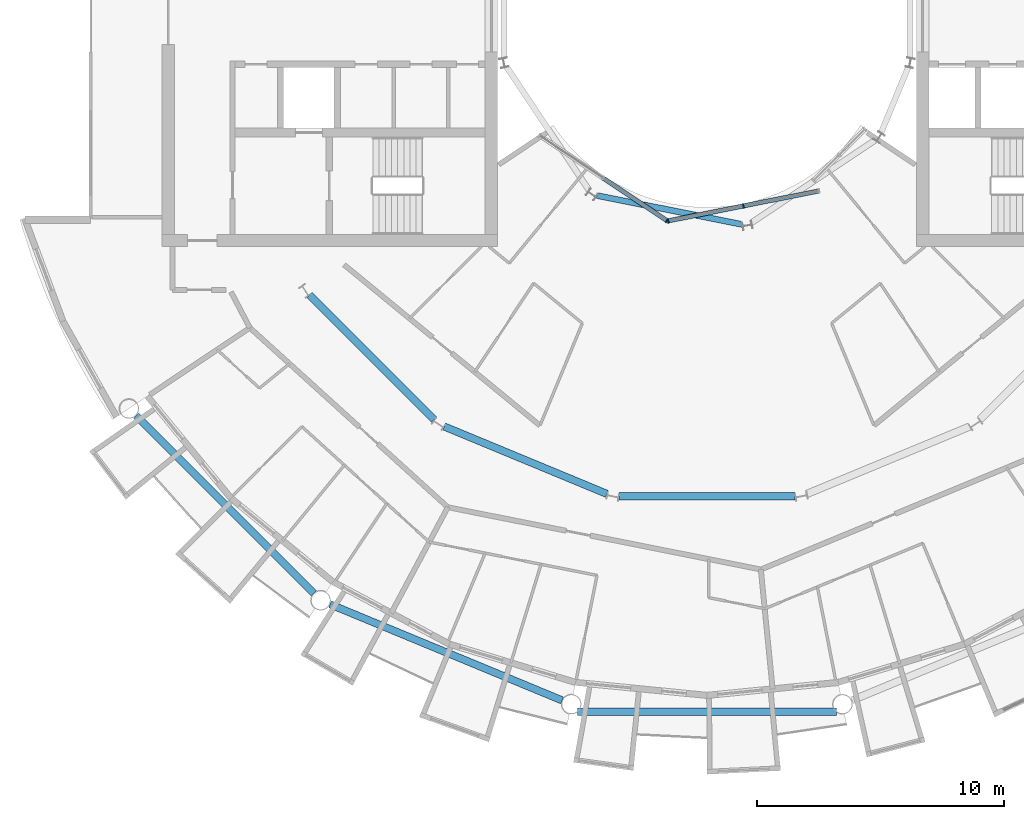
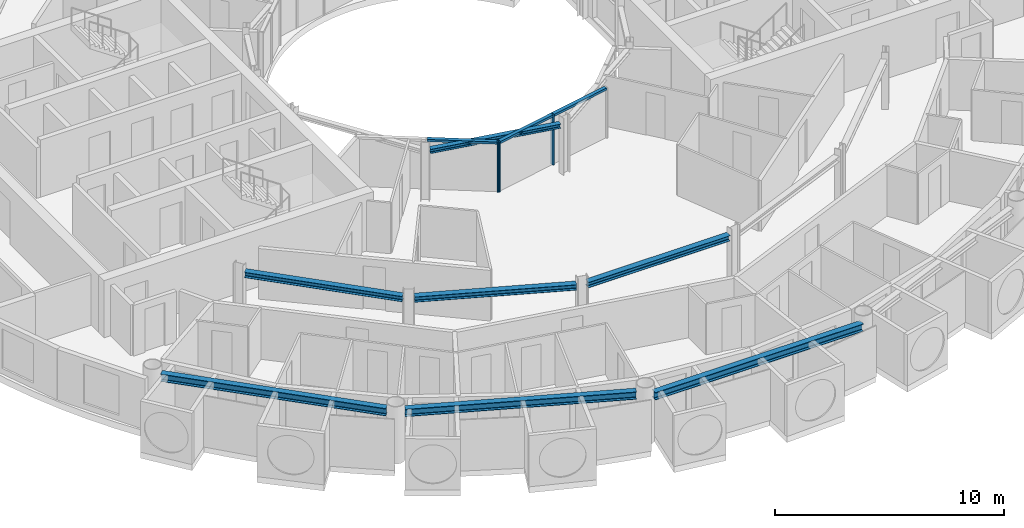
# One storey, part 5 of 27: 7 beams, 6 members, 2 elements without a shape of their own.
"""IFC4 building model written with IfcOpenShell, lengths in metres."""

import ifcopenshell
import ifcopenshell.guid

model = None  # the IFC model being written
_history = None  # IfcOwnerHistory: only IFC2X3 demands one
_inside = {}  # id of a spatial element -> (the spatial element, [elements in it])
_under = {}  # id of a project, library or spatial element -> (it, [spatial elements below it])
_declared = {}  # id of a project -> (the project, [libraries it declares])
_typed = {}  # id of a type object -> (the type object, [elements of that type])
_made_of = {}  # id of a material, layer set ... -> (it, [elements and type objects made of it])


def new_model(schema):
    """Start an empty IFC model of exactly this schema.

    Asked for "IFC4X3", IfcOpenShell would pick the latest addendum, in which some entities
    have other attributes; the version numbers below select the first issue.
    IFC2X3 requires an IfcOwnerHistory on every rooted entity: one is made here for all.
    """
    global model, _history
    if schema == "IFC4X3":
        model = ifcopenshell.file(schema_version=(4, 3, 0, 0))
    else:
        model = ifcopenshell.file(schema=schema)
    _inside.clear()
    _under.clear()
    _declared.clear()
    _typed.clear()
    _made_of.clear()
    _history = None
    if model.schema == "IFC2X3":
        org = make("IfcOrganization", Name="unknown")
        user = make(
            "IfcPersonAndOrganization",
            ThePerson=make("IfcPerson", FamilyName="unknown"),
            TheOrganization=org,
        )
        app = make(
            "IfcApplication",
            ApplicationDeveloper=org,
            Version="unknown",
            ApplicationFullName="unknown",
            ApplicationIdentifier="unknown",
        )
        _history = make(
            "IfcOwnerHistory",
            OwningUser=user,
            OwningApplication=app,
            ChangeAction="ADDED",
            CreationDate=0,
        )
    return model


def make(cls, **values):
    """One entity of the class cls with the attributes given. An attribute that is None is left unset."""
    return model.create_entity(
        cls, **{name: value for name, value in values.items() if value is not None}
    )


def rooted(cls, **values):
    """An entity with a GlobalId (a new one), such as an element, a storey or a relation."""
    return make(cls, GlobalId=ifcopenshell.guid.new(), OwnerHistory=_history, **values)


def si_unit(unit_type, name, prefix=None):
    """IfcSIUnit, for example si_unit("LENGTHUNIT", "METRE", prefix="MILLI")."""
    return make("IfcSIUnit", UnitType=unit_type, Prefix=prefix, Name=name)


def assignment(units):
    """IfcUnitAssignment: the units of a project."""
    return None if units is None else make("IfcUnitAssignment", Units=units)


def point(xyz):
    """IfcCartesianPoint."""
    return None if xyz is None else make("IfcCartesianPoint", Coordinates=xyz)


def direction(xyz):
    """IfcDirection."""
    return None if xyz is None else make("IfcDirection", DirectionRatios=xyz)


def frame(location, z_axis=None, x_axis=None):
    """IfcAxis2Placement3D, a coordinate frame: its origin and axes. An axis left out is left unset."""
    return make(
        "IfcAxis2Placement3D",
        Location=point(location),
        Axis=direction(z_axis),
        RefDirection=direction(x_axis),
    )


def frame_2d(location, x_axis=None):
    """IfcAxis2Placement2D, a coordinate frame in the plane: its origin and x axis."""
    return make(
        "IfcAxis2Placement2D", Location=point(location), RefDirection=direction(x_axis)
    )


def origin():
    """The frame at (0, 0, 0) with its axes left unset."""
    return frame((0.0, 0.0, 0.0))


def origin_2d():
    """The frame at (0, 0) in the plane with its x axis left unset."""
    return frame_2d((0.0, 0.0))


def place(relative_to, where):
    """IfcLocalPlacement: puts the frame where relative to a parent placement (None: the world)."""
    return make(
        "IfcLocalPlacement", PlacementRelTo=relative_to, RelativePlacement=where
    )


def context(
    kind, dimensions, precision=None, world=None, true_north=None, identifier=None
):
    """IfcGeometricRepresentationContext, for example the 3D "Model" context."""
    return make(
        "IfcGeometricRepresentationContext",
        ContextIdentifier=identifier,
        ContextType=kind,
        CoordinateSpaceDimension=dimensions,
        Precision=precision,
        WorldCoordinateSystem=world,
        TrueNorth=true_north,
    )


def subcontext(parent, identifier, kind, view, scale=None):
    """IfcGeometricRepresentationSubContext, for example "Body" below "Model"."""
    return make(
        "IfcGeometricRepresentationSubContext",
        ContextIdentifier=identifier,
        ContextType=kind,
        ParentContext=parent,
        TargetScale=scale,
        TargetView=view,
    )


def project(units=None, contexts=None):
    """IfcProject with its units and contexts."""
    return rooted(
        "IfcProject",
        Name="project",
        RepresentationContexts=contexts,
        UnitsInContext=assignment(units),
    )


def spatial(cls, under=None, at=None, **own):
    """A site, building, storey or space (cls), placed at a placement, below another one or the project."""
    s = rooted(cls, ObjectPlacement=at, **own)
    if under is not None:
        _under.setdefault(under.id(), (under, []))[1].append(s)
    return s


def profile(cls, at=None, kind="AREA", **sizes):
    """A parametric profile (cls). Its sizes go by their IFC names, for example OverallWidth=200.0."""
    return make(cls, ProfileType=kind, Position=at, **sizes)


def rectangle(**sizes):
    """IfcRectangleProfileDef."""
    return profile("IfcRectangleProfileDef", **sizes)


def i_section(**sizes):
    """IfcIShapeProfileDef."""
    return profile("IfcIShapeProfileDef", **sizes)


def extrude(swept, where, along, depth):
    """IfcExtrudedAreaSolid: the profile swept, set in the frame where, extruded along a direction by depth."""
    return make(
        "IfcExtrudedAreaSolid",
        SweptArea=swept,
        Position=where,
        ExtrudedDirection=direction(along),
        Depth=depth,
    )


def shape(context_of_items, identifier, shape_type, items):
    """IfcShapeRepresentation: the items that make up one representation, for example the "Body"."""
    return make(
        "IfcShapeRepresentation",
        ContextOfItems=context_of_items,
        RepresentationIdentifier=identifier,
        RepresentationType=shape_type,
        Items=items,
    )


def material(Name=None, Category=None):
    """IfcMaterial."""
    return make("IfcMaterial", Name=Name, Category=Category)


def layer(
    of_material, thickness, ventilated=None, Name=None, Category=None, Priority=None
):
    """IfcMaterialLayer: one layer of a wall or slab, of a material (None: an air gap)."""
    return make(
        "IfcMaterialLayer",
        Material=of_material,
        LayerThickness=thickness,
        IsVentilated=ventilated,
        Name=Name,
        Category=Category,
        Priority=Priority,
    )


def layer_set(layers, Name=None):
    """IfcMaterialLayerSet."""
    return make("IfcMaterialLayerSet", MaterialLayers=layers, LayerSetName=Name)


def material_profile(
    of_material, cross_section, Name=None, Category=None, Priority=None
):
    """IfcMaterialProfile: a cross section and its material."""
    return make(
        "IfcMaterialProfile",
        Name=Name,
        Material=of_material,
        Profile=cross_section,
        Priority=Priority,
        Category=Category,
    )


def profile_set(profiles, Name=None, composite=None):
    """IfcMaterialProfileSet."""
    return make(
        "IfcMaterialProfileSet",
        Name=Name,
        MaterialProfiles=profiles,
        CompositeProfile=composite,
    )


def made_of(thing, what):
    """Note that an element or type object is made of a material, layer set ...; save() writes the relation."""
    if what is not None:
        _made_of.setdefault(what.id(), (what, []))[1].append(thing)
    return thing


def type_object(cls, material=None, **own):
    """A type object (cls), such as IfcWallType, which elements share."""
    return made_of(rooted(cls, **own), material)


def element(
    cls,
    number,
    at=None,
    inside=None,
    cuts=None,
    type_object=None,
    material=None,
    context=None,
    identifier="Body",
    shape_type=None,
    held_by="IfcProductDefinitionShape",
    body=None,
    shapes=None,
    **own,
):
    """One element of the class cls, such as IfcWall. Its Tag is "e" and its number.

    at: its placement. inside: the storey or other place that contains it. cuts: it is an
    opening in that element (IfcRelVoidsElement). A single representation is given by context,
    identifier, shape_type and body (its items); several are given by shapes. held_by: the class
    of the entity that holds the representations. save() writes the other relations.
    """
    e = rooted(cls, Tag="e%d" % number, ObjectPlacement=at, **own)
    if body is not None:
        shapes = [shape(context, identifier, shape_type, body)]
    if shapes is not None:
        e.Representation = make(held_by, Representations=shapes)
    if inside is not None:
        _inside.setdefault(inside.id(), (inside, []))[1].append(e)
    if cuts is not None:
        rooted(
            "IfcRelVoidsElement", RelatingBuildingElement=cuts, RelatedOpeningElement=e
        )
    if type_object is not None:
        _typed.setdefault(type_object.id(), (type_object, []))[1].append(e)
    return made_of(e, material)


def aggregate(whole, parts):
    """IfcRelAggregates: a whole, such as a stair, and the parts it consists of."""
    return rooted("IfcRelAggregates", RelatingObject=whole, RelatedObjects=parts)


def save(model, path):
    """Write the relations noted so far, then the file.

    IfcRelAggregates (storeys below a building ...), IfcRelContainedInSpatialStructure (elements
    in a storey), IfcRelDefinesByType, IfcRelAssociatesMaterial and IfcRelDeclares: one each for
    every whole, place, type object, material and project.
    """
    for whole, parts in _under.values():
        aggregate(whole, parts)
    for where, things in _inside.values():
        rooted(
            "IfcRelContainedInSpatialStructure",
            RelatedElements=things,
            RelatingStructure=where,
        )
    for kind, things in _typed.values():
        rooted("IfcRelDefinesByType", RelatedObjects=things, RelatingType=kind)
    for what, things in _made_of.values():
        rooted("IfcRelAssociatesMaterial", RelatedObjects=things, RelatingMaterial=what)
    for by, libraries in _declared.values():
        rooted("IfcRelDeclares", RelatingContext=by, RelatedDefinitions=libraries)
    model.write(path)


model = new_model("IFC4")

# Units and contexts
model_context = context("Model", 3, precision=1e-05, world=origin(), true_north=direction((0.0, 1.0)))
body_context = subcontext(model_context, "Body", "Model", "MODEL_VIEW")
ifc_project = project(units=[si_unit("LENGTHUNIT", "METRE"), si_unit("AREAUNIT", "SQUARE_METRE"), si_unit("VOLUMEUNIT", "CUBIC_METRE"), si_unit("PLANEANGLEUNIT", "RADIAN"), si_unit("MASSUNIT", "GRAM", prefix="KILO")], contexts=[model_context])

# Site, building, storey
site_placement = place(None, origin())
site = spatial("IfcSite", under=ifc_project, at=site_placement, CompositionType="ELEMENT")
building_placement = place(site_placement, origin())
building = spatial("IfcBuilding", under=site, at=building_placement, Name="Maasbend Ring Residences", CompositionType="ELEMENT")
storey_placement = place(building_placement, frame((0.0, 0.0, 145.199951171875)))
storey = spatial("IfcBuildingStorey", under=building, at=storey_placement, Name="L41", CompositionType="ELEMENT", Elevation=145.199951171875)

# Curtain wall, member
ifc_material_1 = material(Name="Aluminium and clear glass", Category="aluminium")
ifc_layer = layer(ifc_material_1, 0.179931640625)
ifc_layer_set = layer_set([ifc_layer], Name="CW-W")
curtain_wall_type = type_object("IfcCurtainWallType", Name="CW-W", PredefinedType="NOTDEFINED", material=ifc_layer_set)
curtain_wall_1_placement = place(storey_placement, origin())
curtain_wall_1 = element("IfcCurtainWall", 1, at=curtain_wall_1_placement, inside=storey, type_object=curtain_wall_type, Name="Well curtain wall S1", PredefinedType="NOTDEFINED")
ifc_material_2 = material(Name="Aluminium 6063-T6", Category="aluminium")
ifc_material_profile_1 = material_profile(ifc_material_2, rectangle(XDim=0.179931640625, YDim=0.06005859375, at=origin_2d()), Name="AL 180x60")
ifc_profile_set_1 = profile_set([ifc_material_profile_1], Name="Aluminium 6063-T6")
member_type_1 = type_object("IfcMemberType", Name="CWM-W", PredefinedType="MULLION", material=ifc_profile_set_1)
member_1_placement = place(storey_placement, frame((-1.627685546875, -8.040771484375, 0.0), z_axis=(0.0, 0.0, 1.0), x_axis=(0.55557023302, 0.831469612303, 0.0)))
member_1 = element("IfcMember", 2, at=member_1_placement, type_object=member_type_1, Name="Mullion well face", PredefinedType="MULLION", context=body_context, shape_type="SweptSolid", body=[
    extrude(rectangle(XDim=0.179931640625, YDim=0.06005859375, at=origin_2d()), origin(), (0.0, 0.0, 1.0), 2.699951171875),
])

# Curtain wall, members
curtain_wall_2_placement = place(storey_placement, origin())
curtain_wall_2 = element("IfcCurtainWall", 3, at=curtain_wall_2_placement, inside=storey, type_object=curtain_wall_type, Name="Well curtain wall S2", PredefinedType="NOTDEFINED")
member_2_placement = place(storey_placement, frame((-1.5732421875, -8.0517578125, 0.0), z_axis=(0.0, 0.0, 1.0), x_axis=(-0.195090322016, 0.980785280403, 0.0)))
member_2 = element("IfcMember", 4, at=member_2_placement, type_object=member_type_1, Name="Mullion well face", PredefinedType="MULLION", context=body_context, shape_type="SweptSolid", body=[
    extrude(rectangle(XDim=0.179931640625, YDim=0.06005859375, at=origin_2d()), origin(), (0.0, 0.0, 1.0), 2.699951171875),
])
member_3_placement = place(storey_placement, frame((1.480712890625, -7.444091796875, 0.0), z_axis=(0.0, 0.0, 1.0), x_axis=(-0.195090322016, 0.980785280403, 0.0)))
member_3 = element("IfcMember", 5, at=member_3_placement, type_object=member_type_1, Name="Mullion well face", PredefinedType="MULLION", context=body_context, shape_type="SweptSolid", body=[
    extrude(rectangle(XDim=0.179931640625, YDim=0.06005859375, at=origin_2d()), origin(), (0.0, 0.0, 1.0), 2.699951171875),
])

# Member
ifc_material_3 = material(Name="Aluminium 6063-T6", Category="aluminium")
ifc_material_profile_2 = material_profile(ifc_material_3, rectangle(XDim=0.179931640625, YDim=0.1201171875, at=origin_2d()), Name="AL 180x120")
ifc_profile_set_2 = profile_set([ifc_material_profile_2], Name="Aluminium 6063-T6")
member_type_2 = type_object("IfcMemberType", Name="CWT-W", PredefinedType="USERDEFINED", material=ifc_profile_set_2)
member_4_placement = place(storey_placement, frame((-4.19189453125, -6.32763671875, 2.64013671875), z_axis=(0.831496422459, -0.555530106689, 0.0), x_axis=(0.555530106689, 0.831496422459, 0.0)))
member_4 = element("IfcMember", 6, at=member_4_placement, type_object=member_type_2, Name="Transom well face", ObjectType="TRANSOM", PredefinedType="USERDEFINED", context=body_context, shape_type="SweptSolid", body=[
    extrude(rectangle(XDim=0.179931640625, YDim=0.1201171875, at=origin_2d()), origin(), (0.0, 0.0, 1.0), 3.053955078125),
])

aggregate(curtain_wall_1, [member_1, member_4])

member_5_placement = place(storey_placement, frame((-1.5439453125, -8.0458984375, 2.64013671875), z_axis=(0.980776956105, 0.195132166424, 0.0), x_axis=(-0.195132166424, 0.980776956105, 0.0)))
member_5 = element("IfcMember", 7, at=member_5_placement, type_object=member_type_2, Name="Transom well face", ObjectType="TRANSOM", PredefinedType="USERDEFINED", context=body_context, shape_type="SweptSolid", body=[
    extrude(rectangle(XDim=0.179931640625, YDim=0.1201171875, at=origin_2d()), origin(), (0.0, 0.0, 1.0), 3.053955078125),
])

member_6_placement = place(storey_placement, frame((1.51025390625, -7.438232421875, 2.64013671875), z_axis=(0.980789210404, 0.19507056353, 0.0), x_axis=(-0.19507056353, 0.980789210404, 0.0)))
member_6 = element("IfcMember", 8, at=member_6_placement, type_object=member_type_2, Name="Transom well face", ObjectType="TRANSOM", PredefinedType="USERDEFINED", context=body_context, shape_type="SweptSolid", body=[
    extrude(rectangle(XDim=0.179931640625, YDim=0.1201171875, at=origin_2d()), origin(), (0.0, 0.0, 1.0), 3.0537109375),
])

aggregate(curtain_wall_2, [member_2, member_3, member_5, member_6])

# Beams
ifc_material_4 = material(Name="Steel S355J2", Category="steel")
ifc_material_profile_3 = material_profile(ifc_material_4, i_section(OverallWidth=0.300048828125, OverallDepth=0.2900390625, WebThickness=0.008544921875, FlangeThickness=0.013916015625, FilletRadius=0.027099609375, at=origin_2d()), Name="HEA 300")
ifc_profile_set_3 = profile_set([ifc_material_profile_3], Name="Steel S355J2")
beam_type_1 = type_object("IfcBeamType", Name="Corridor ring beam HEA 300", PredefinedType="BEAM", material=ifc_profile_set_3)
for number, where, z_axis, x_axis, name in (
    (9, (-16.11669921875, -11.0693359375, 2.554931640625), (0.707106781187, -0.707106781187, 0.0), (0.707106781187, 0.707106781187, 0.0), "Corridor ring beam"),
    (10, (-10.65380859375, -16.394287109375, 2.554931640625), (0.923871339849, -0.382703210602, 0.0), (0.382703210602, 0.923871339849, 0.0), "Corridor ring beam"),
):
    element("IfcBeam", number, at=place(storey_placement, frame(where, z_axis=z_axis, x_axis=x_axis)), inside=storey, type_object=beam_type_1, Name=name, PredefinedType="BEAM", context=body_context, shape_type="SweptSolid", body=[
        extrude(i_section(OverallWidth=0.300048828125, OverallDepth=0.2900390625, WebThickness=0.008544921875, FlangeThickness=0.013916015625, FilletRadius=0.027099609375, at=origin_2d()), origin(), (0.0, 0.0, 1.0), 7.137939453125),
    ])
beam_1_placement = place(storey_placement, frame((-3.56884765625, -19.223388671875, 2.554931640625), z_axis=(1.0, 0.0, 0.0), x_axis=(0.0, 1.0, 0.0)))
element("IfcBeam", 11, at=beam_1_placement, inside=storey, type_object=beam_type_1, Name="Corridor ring beam", PredefinedType="BEAM", context=body_context, shape_type="SweptSolid", body=[
    extrude(i_section(OverallWidth=0.300048828125, OverallDepth=0.2900390625, WebThickness=0.008544921875, FlangeThickness=0.013916015625, FilletRadius=0.027099609375, at=origin_2d()), origin(), (0.0, 0.0, 1.0), 7.1376953125),
])
ifc_material_5 = material(Name="Steel S355J2", Category="steel")
ifc_material_profile_4 = material_profile(ifc_material_5, i_section(OverallWidth=0.300048828125, OverallDepth=0.39990234375, WebThickness=0.013427734375, FlangeThickness=0.02392578125, FilletRadius=0.027099609375, at=origin_2d()), Name="HEB 400")
ifc_profile_set_4 = profile_set([ifc_material_profile_4], Name="Steel S355J2")
beam_type_2 = type_object("IfcBeamType", Name="Spandrel ring beam HEB 400", PredefinedType="SPANDREL", material=ifc_profile_set_4)
for number, where, z_axis, x_axis, name in (
    (12, (-23.159912109375, -15.95458984375, 2.5), (0.707106781187, -0.707106781187, 0.0), (0.707106781187, 0.707106781187, 0.0), "Spandrel ring beam"),
    (13, (-15.29150390625, -23.60302734375, 2.5), (0.923883676188, -0.382673428492, 0.0), (0.382673428492, 0.923883676188, 0.0), "Spandrel ring beam"),
):
    element("IfcBeam", number, at=place(storey_placement, frame(where, z_axis=z_axis, x_axis=x_axis)), inside=storey, type_object=beam_type_2, Name=name, PredefinedType="SPANDREL", context=body_context, shape_type="SweptSolid", body=[
        extrude(i_section(OverallWidth=0.300048828125, OverallDepth=0.39990234375, WebThickness=0.013427734375, FlangeThickness=0.02392578125, FilletRadius=0.027099609375, at=origin_2d()), origin(), (0.0, 0.0, 1.0), 10.18994140625),
    ])
beam_2_placement = place(storey_placement, frame((-5.2451171875, -27.9580078125, 2.5), z_axis=(1.0, 0.0, 0.0), x_axis=(0.0, 1.0, 0.0)))
element("IfcBeam", 14, at=beam_2_placement, inside=storey, type_object=beam_type_2, Name="Spandrel ring beam", PredefinedType="SPANDREL", context=body_context, shape_type="SweptSolid", body=[
    extrude(i_section(OverallWidth=0.300048828125, OverallDepth=0.39990234375, WebThickness=0.013427734375, FlangeThickness=0.02392578125, FilletRadius=0.027099609375, at=origin_2d()), origin(), (0.0, 0.0, 1.0), 10.490234375),
])
ifc_material_6 = material(Name="Steel S355J2", Category="steel")
ifc_material_profile_5 = material_profile(ifc_material_6, i_section(OverallWidth=0.239990234375, OverallDepth=0.22998046875, WebThickness=0.007568359375, FlangeThickness=0.011962890625, FilletRadius=0.02099609375, at=origin_2d()), Name="HEA 240")
ifc_profile_set_5 = profile_set([ifc_material_profile_5], Name="Steel S355J2")
beam_type_3 = type_object("IfcBeamType", Name="Well edge beam HEA 240", PredefinedType="BEAM", material=ifc_profile_set_5)
beam_3_placement = place(storey_placement, frame((-4.459716796875, -7.025390625, 2.5849609375), z_axis=(0.980778695042, -0.195123425945, 0.0), x_axis=(0.195123425945, 0.980778695042, 0.0)))
element("IfcBeam", 15, at=beam_3_placement, inside=storey, type_object=beam_type_3, Name="Well edge beam", PredefinedType="BEAM", context=body_context, shape_type="SweptSolid", body=[
    extrude(i_section(OverallWidth=0.239990234375, OverallDepth=0.22998046875, WebThickness=0.007568359375, FlangeThickness=0.011962890625, FilletRadius=0.02099609375, at=origin_2d()), origin(), (0.0, 0.0, 1.0), 6.007080078125),
])

save(model, "model.ifc")
